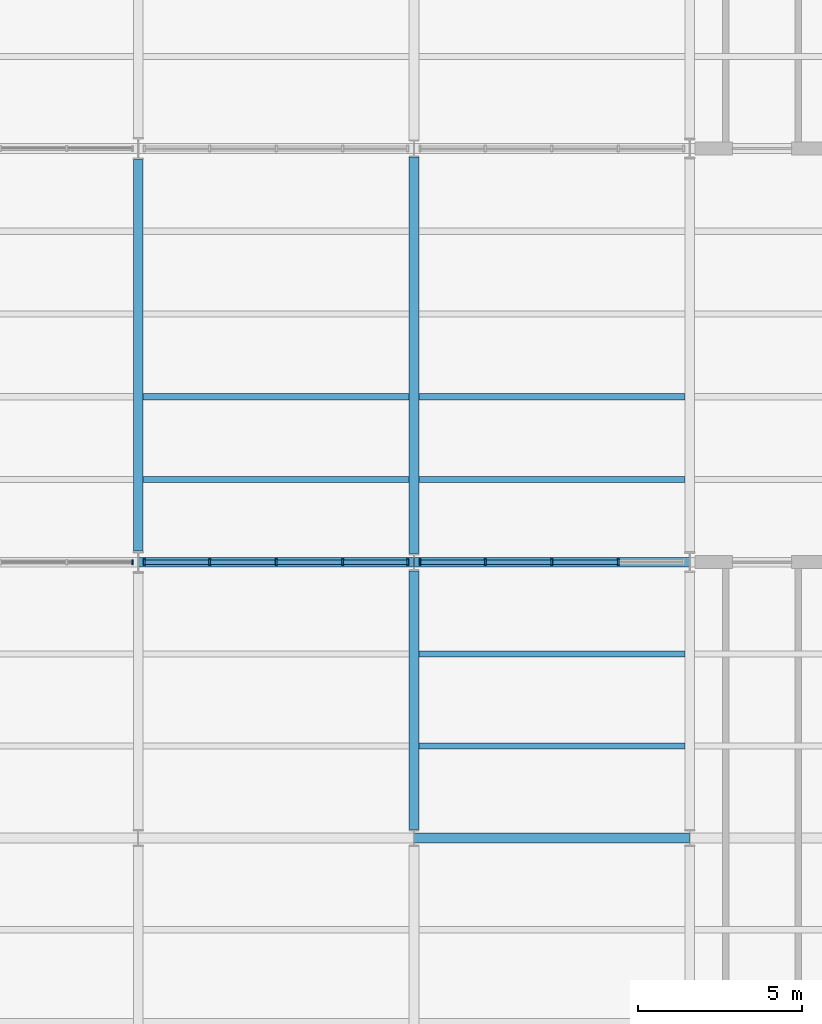
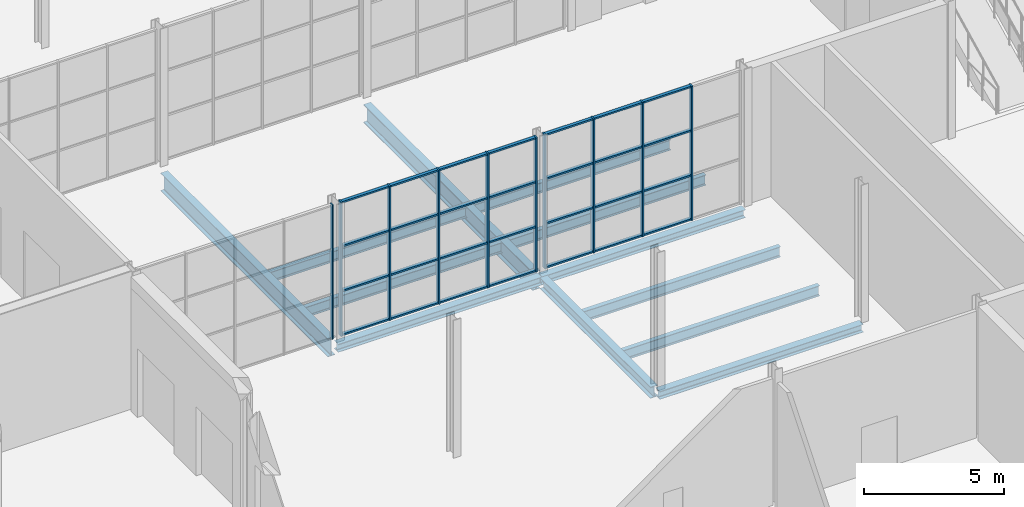
# One storey, part 11 of 55: 38 members, 12 beams, 3 elements without a shape of their own.
"""IFC4 building model written with IfcOpenShell, lengths in metres."""

from ifc_helpers import new_model, si_unit, direction, frame, origin, origin_2d, place, context, subcontext, project, spatial, rectangle, i_section, extrude, material, layer, layer_set, material_profile, profile_set, type_object, element, aggregate, save


model = new_model("IFC4")

# Units and contexts
model_context = context("Model", 3, precision=1e-05, world=origin(), true_north=direction((0.0, 1.0)))
body_context = subcontext(model_context, "Body", "Model", "MODEL_VIEW")
ifc_project = project(units=[si_unit("LENGTHUNIT", "METRE"), si_unit("AREAUNIT", "SQUARE_METRE"), si_unit("VOLUMEUNIT", "CUBIC_METRE"), si_unit("PLANEANGLEUNIT", "RADIAN"), si_unit("MASSUNIT", "GRAM", prefix="KILO")], contexts=[model_context])

# Site, building, storey
site_placement = place(None, origin())
site = spatial("IfcSite", under=ifc_project, at=site_placement, CompositionType="ELEMENT")
building_placement = place(site_placement, origin())
building = spatial("IfcBuilding", under=site, at=building_placement, Name="Galleria Vessillo Department Store", CompositionType="ELEMENT")
storey_placement = place(building_placement, origin())
storey = spatial("IfcBuildingStorey", under=building, at=storey_placement, Name="L00", CompositionType="ELEMENT", Elevation=0.0)

# Curtain wall, member
ifc_material_1 = material(Name="Aluminium and glass curtain wall", Category="aluminium")
ifc_layer_1 = layer(ifc_material_1, 0.159912109375)
ifc_layer_set_1 = layer_set([ifc_layer_1], Name="Aluminium and glass curtain wall")
curtain_wall_type_1 = type_object("IfcCurtainWallType", Name="Arcade portal glazing CW2 2100 module", PredefinedType="NOTDEFINED", material=ifc_layer_set_1)
curtain_wall_1_placement = place(storey_placement, origin())
curtain_wall_1 = element("IfcCurtainWall", 1, at=curtain_wall_1_placement, inside=storey, type_object=curtain_wall_type_1, Name="Arcade portal glazing CW2 2100 module PW-W-S-L00-01", PredefinedType="NOTDEFINED")
ifc_material_2 = material(Name="Aluminium alloy 6063 T6", Category="aluminium")
ifc_material_profile_1 = material_profile(ifc_material_2, rectangle(XDim=0.159912109375, YDim=0.050048828125, at=origin_2d()), Name="AL 50x160")
ifc_profile_set_1 = profile_set([ifc_material_profile_1], Name="Aluminium alloy 6063 T6")
member_type_1 = type_object("IfcMemberType", Name="Aluminium mullion 50 x 160", PredefinedType="MULLION", material=ifc_profile_set_1)
member_1_placement = place(storey_placement, frame((16.62255859375, 25.199951171875, 0.0), z_axis=(0.0, 0.0, 1.0), x_axis=(0.0, 1.0, 0.0)))
member_1 = element("IfcMember", 2, at=member_1_placement, type_object=member_type_1, Name="CW2 mullion 5", PredefinedType="MULLION", context=body_context, shape_type="SweptSolid", body=[
    extrude(rectangle(XDim=0.159912109375, YDim=0.050048828125, at=origin_2d()), origin(), (0.0, 0.0, 1.0), 5.85009765625),
])
aggregate(curtain_wall_1, [member_1])

# Curtain wall, members
ifc_material_3 = material(Name="Aluminium and glass curtain wall", Category="aluminium")
ifc_layer_2 = layer(ifc_material_3, 0.199951171875)
ifc_layer_set_2 = layer_set([ifc_layer_2], Name="Aluminium and glass curtain wall")
curtain_wall_type_2 = type_object("IfcCurtainWallType", Name="Arcade curtain wall CW1 2100 module", PredefinedType="NOTDEFINED", material=ifc_layer_set_2)
curtain_wall_2_placement = place(storey_placement, origin())
curtain_wall_2 = element("IfcCurtainWall", 3, at=curtain_wall_2_placement, inside=storey, type_object=curtain_wall_type_2, Name="Arcade curtain wall CW1 2100 module AI-AW-S-L00-01", PredefinedType="NOTDEFINED")
ifc_material_4 = material(Name="Aluminium alloy 6063 T6", Category="aluminium")
ifc_material_profile_2 = material_profile(ifc_material_4, rectangle(XDim=0.199951171875, YDim=0.06005859375, at=origin_2d()), Name="AL 60x200")
ifc_profile_set_2 = profile_set([ifc_material_profile_2], Name="Aluminium alloy 6063 T6")
member_type_2 = type_object("IfcMemberType", Name="Aluminium mullion 60 x 200", PredefinedType="MULLION", material=ifc_profile_set_2)
member_2_placement = place(storey_placement, frame((16.982666015625, 25.199951171875, 0.0), z_axis=(0.0, 0.0, 1.0), x_axis=(0.0, 1.0, 0.0)))
member_2 = element("IfcMember", 4, at=member_2_placement, type_object=member_type_2, Name="CW1 mullion 1", PredefinedType="MULLION", context=body_context, shape_type="SweptSolid", body=[
    extrude(rectangle(XDim=0.199951171875, YDim=0.06005859375, at=origin_2d()), origin(), (0.0, 0.0, 1.0), 5.85009765625),
])
member_3_placement = place(storey_placement, frame((18.97607421875, 25.199951171875, 0.0), z_axis=(0.0, 0.0, 1.0), x_axis=(0.0, 1.0, 0.0)))
member_3 = element("IfcMember", 5, at=member_3_placement, type_object=member_type_2, Name="CW1 mullion 2", PredefinedType="MULLION", context=body_context, shape_type="SweptSolid", body=[
    extrude(rectangle(XDim=0.199951171875, YDim=0.06005859375, at=origin_2d()), origin(), (0.0, 0.0, 1.0), 5.85009765625),
])
member_4_placement = place(storey_placement, frame((20.999755859375, 25.199951171875, 0.0), z_axis=(0.0, 0.0, 1.0), x_axis=(0.0, 1.0, 0.0)))
member_4 = element("IfcMember", 6, at=member_4_placement, type_object=member_type_2, Name="CW1 mullion 3", PredefinedType="MULLION", context=body_context, shape_type="SweptSolid", body=[
    extrude(rectangle(XDim=0.199951171875, YDim=0.06005859375, at=origin_2d()), origin(), (0.0, 0.0, 1.0), 5.85009765625),
])
member_5_placement = place(storey_placement, frame((23.0234375, 25.199951171875, 0.0), z_axis=(0.0, 0.0, 1.0), x_axis=(0.0, 1.0, 0.0)))
member_5 = element("IfcMember", 7, at=member_5_placement, type_object=member_type_2, Name="CW1 mullion 4", PredefinedType="MULLION", context=body_context, shape_type="SweptSolid", body=[
    extrude(rectangle(XDim=0.199951171875, YDim=0.06005859375, at=origin_2d()), origin(), (0.0, 0.0, 1.0), 5.85009765625),
])
member_6_placement = place(storey_placement, frame((25.016845703125, 25.199951171875, 0.0), z_axis=(0.0, 0.0, 1.0), x_axis=(0.0, 1.0, 0.0)))
member_6 = element("IfcMember", 8, at=member_6_placement, type_object=member_type_2, Name="CW1 mullion 5", PredefinedType="MULLION", context=body_context, shape_type="SweptSolid", body=[
    extrude(rectangle(XDim=0.199951171875, YDim=0.06005859375, at=origin_2d()), origin(), (0.0, 0.0, 1.0), 5.85009765625),
])

curtain_wall_3_placement = place(storey_placement, origin())
curtain_wall_3 = element("IfcCurtainWall", 9, at=curtain_wall_3_placement, inside=storey, type_object=curtain_wall_type_2, Name="Arcade curtain wall CW1 2100 module AI-AW-S-L00-02", PredefinedType="NOTDEFINED")
member_7_placement = place(storey_placement, frame((25.383056640625, 25.199951171875, 0.0), z_axis=(0.0, 0.0, 1.0), x_axis=(0.0, 1.0, 0.0)))
member_7 = element("IfcMember", 10, at=member_7_placement, type_object=member_type_2, Name="CW1 mullion 1", PredefinedType="MULLION", context=body_context, shape_type="SweptSolid", body=[
    extrude(rectangle(XDim=0.199951171875, YDim=0.06005859375, at=origin_2d()), origin(), (0.0, 0.0, 1.0), 5.85009765625),
])
member_8_placement = place(storey_placement, frame((27.376708984375, 25.199951171875, 0.0), z_axis=(0.0, 0.0, 1.0), x_axis=(0.0, 1.0, 0.0)))
member_8 = element("IfcMember", 11, at=member_8_placement, type_object=member_type_2, Name="CW1 mullion 2", PredefinedType="MULLION", context=body_context, shape_type="SweptSolid", body=[
    extrude(rectangle(XDim=0.199951171875, YDim=0.06005859375, at=origin_2d()), origin(), (0.0, 0.0, 1.0), 5.85009765625),
])
member_9_placement = place(storey_placement, frame((29.400390625, 25.199951171875, 0.0), z_axis=(0.0, 0.0, 1.0), x_axis=(0.0, 1.0, 0.0)))
member_9 = element("IfcMember", 12, at=member_9_placement, type_object=member_type_2, Name="CW1 mullion 3", PredefinedType="MULLION", context=body_context, shape_type="SweptSolid", body=[
    extrude(rectangle(XDim=0.199951171875, YDim=0.06005859375, at=origin_2d()), origin(), (0.0, 0.0, 1.0), 5.85009765625),
])
member_10_placement = place(storey_placement, frame((31.423828125, 25.199951171875, 0.0), z_axis=(0.0, 0.0, 1.0), x_axis=(0.0, 1.0, 0.0)))
member_10 = element("IfcMember", 13, at=member_10_placement, type_object=member_type_2, Name="CW1 mullion 4", PredefinedType="MULLION", context=body_context, shape_type="SweptSolid", body=[
    extrude(rectangle(XDim=0.199951171875, YDim=0.06005859375, at=origin_2d()), origin(), (0.0, 0.0, 1.0), 5.85009765625),
])

# Member
ifc_material_5 = material(Name="Aluminium alloy 6063 T6", Category="aluminium")
ifc_material_profile_3 = material_profile(ifc_material_5, rectangle(XDim=0.139892578125, YDim=0.070068359375, at=origin_2d()), Name="AL 70x140")
ifc_profile_set_3 = profile_set([ifc_material_profile_3], Name="Aluminium alloy 6063 T6")
member_type_3 = type_object("IfcMemberType", Name="Aluminium transom 70 x 140", PredefinedType="USERDEFINED", material=ifc_profile_set_3)
member_11_placement = place(storey_placement, frame((17.0126953125, 25.199951171875, 0.034912109375), z_axis=(1.0, 0.0, 0.0), x_axis=(0.0, 1.0, 0.0)))
member_11 = element("IfcMember", 14, at=member_11_placement, type_object=member_type_3, Name="CW1 transom 1.1", ObjectType="TRANSOM", PredefinedType="USERDEFINED", context=body_context, shape_type="SweptSolid", body=[
    extrude(rectangle(XDim=0.139892578125, YDim=0.070068359375, at=origin_2d()), origin(), (0.0, 0.0, 1.0), 1.93359375),
])

member_12_placement = place(storey_placement, frame((17.0126953125, 25.199951171875, 1.949951171875), z_axis=(1.0, 0.0, 0.0), x_axis=(0.0, 1.0, 0.0)))
member_12 = element("IfcMember", 15, at=member_12_placement, type_object=member_type_3, Name="CW1 transom 1.2", ObjectType="TRANSOM", PredefinedType="USERDEFINED", context=body_context, shape_type="SweptSolid", body=[
    extrude(rectangle(XDim=0.139892578125, YDim=0.070068359375, at=origin_2d()), origin(), (0.0, 0.0, 1.0), 1.93359375),
])

member_13_placement = place(storey_placement, frame((17.0126953125, 25.199951171875, 3.900146484375), z_axis=(1.0, 0.0, 0.0), x_axis=(0.0, 1.0, 0.0)))
member_13 = element("IfcMember", 16, at=member_13_placement, type_object=member_type_3, Name="CW1 transom 1.3", ObjectType="TRANSOM", PredefinedType="USERDEFINED", context=body_context, shape_type="SweptSolid", body=[
    extrude(rectangle(XDim=0.139892578125, YDim=0.070068359375, at=origin_2d()), origin(), (0.0, 0.0, 1.0), 1.93359375),
])

member_14_placement = place(storey_placement, frame((17.0126953125, 25.199951171875, 5.815185546875), z_axis=(1.0, 0.0, 0.0), x_axis=(0.0, 1.0, 0.0)))
member_14 = element("IfcMember", 17, at=member_14_placement, type_object=member_type_3, Name="CW1 transom 1.4", ObjectType="TRANSOM", PredefinedType="USERDEFINED", context=body_context, shape_type="SweptSolid", body=[
    extrude(rectangle(XDim=0.139892578125, YDim=0.070068359375, at=origin_2d()), origin(), (0.0, 0.0, 1.0), 1.93359375),
])

member_15_placement = place(storey_placement, frame((19.006103515625, 25.199951171875, 0.034912109375), z_axis=(1.0, 0.0, 0.0), x_axis=(0.0, 1.0, 0.0)))
member_15 = element("IfcMember", 18, at=member_15_placement, type_object=member_type_3, Name="CW1 transom 2.1", ObjectType="TRANSOM", PredefinedType="USERDEFINED", context=body_context, shape_type="SweptSolid", body=[
    extrude(rectangle(XDim=0.139892578125, YDim=0.070068359375, at=origin_2d()), origin(), (0.0, 0.0, 1.0), 1.963623046875),
])

member_16_placement = place(storey_placement, frame((19.006103515625, 25.199951171875, 1.949951171875), z_axis=(1.0, 0.0, 0.0), x_axis=(0.0, 1.0, 0.0)))
member_16 = element("IfcMember", 19, at=member_16_placement, type_object=member_type_3, Name="CW1 transom 2.2", ObjectType="TRANSOM", PredefinedType="USERDEFINED", context=body_context, shape_type="SweptSolid", body=[
    extrude(rectangle(XDim=0.139892578125, YDim=0.070068359375, at=origin_2d()), origin(), (0.0, 0.0, 1.0), 1.963623046875),
])

member_17_placement = place(storey_placement, frame((19.006103515625, 25.199951171875, 3.900146484375), z_axis=(1.0, 0.0, 0.0), x_axis=(0.0, 1.0, 0.0)))
member_17 = element("IfcMember", 20, at=member_17_placement, type_object=member_type_3, Name="CW1 transom 2.3", ObjectType="TRANSOM", PredefinedType="USERDEFINED", context=body_context, shape_type="SweptSolid", body=[
    extrude(rectangle(XDim=0.139892578125, YDim=0.070068359375, at=origin_2d()), origin(), (0.0, 0.0, 1.0), 1.963623046875),
])

member_18_placement = place(storey_placement, frame((19.006103515625, 25.199951171875, 5.815185546875), z_axis=(1.0, 0.0, 0.0), x_axis=(0.0, 1.0, 0.0)))
member_18 = element("IfcMember", 21, at=member_18_placement, type_object=member_type_3, Name="CW1 transom 2.4", ObjectType="TRANSOM", PredefinedType="USERDEFINED", context=body_context, shape_type="SweptSolid", body=[
    extrude(rectangle(XDim=0.139892578125, YDim=0.070068359375, at=origin_2d()), origin(), (0.0, 0.0, 1.0), 1.963623046875),
])

member_19_placement = place(storey_placement, frame((21.02978515625, 25.199951171875, 0.034912109375), z_axis=(1.0, 0.0, 0.0), x_axis=(0.0, 1.0, 0.0)))
member_19 = element("IfcMember", 22, at=member_19_placement, type_object=member_type_3, Name="CW1 transom 3.1", ObjectType="TRANSOM", PredefinedType="USERDEFINED", context=body_context, shape_type="SweptSolid", body=[
    extrude(rectangle(XDim=0.139892578125, YDim=0.070068359375, at=origin_2d()), origin(), (0.0, 0.0, 1.0), 1.963623046875),
])

member_20_placement = place(storey_placement, frame((21.02978515625, 25.199951171875, 1.949951171875), z_axis=(1.0, 0.0, 0.0), x_axis=(0.0, 1.0, 0.0)))
member_20 = element("IfcMember", 23, at=member_20_placement, type_object=member_type_3, Name="CW1 transom 3.2", ObjectType="TRANSOM", PredefinedType="USERDEFINED", context=body_context, shape_type="SweptSolid", body=[
    extrude(rectangle(XDim=0.139892578125, YDim=0.070068359375, at=origin_2d()), origin(), (0.0, 0.0, 1.0), 1.963623046875),
])

member_21_placement = place(storey_placement, frame((21.02978515625, 25.199951171875, 3.900146484375), z_axis=(1.0, 0.0, 0.0), x_axis=(0.0, 1.0, 0.0)))
member_21 = element("IfcMember", 24, at=member_21_placement, type_object=member_type_3, Name="CW1 transom 3.3", ObjectType="TRANSOM", PredefinedType="USERDEFINED", context=body_context, shape_type="SweptSolid", body=[
    extrude(rectangle(XDim=0.139892578125, YDim=0.070068359375, at=origin_2d()), origin(), (0.0, 0.0, 1.0), 1.963623046875),
])

member_22_placement = place(storey_placement, frame((21.02978515625, 25.199951171875, 5.815185546875), z_axis=(1.0, 0.0, 0.0), x_axis=(0.0, 1.0, 0.0)))
member_22 = element("IfcMember", 25, at=member_22_placement, type_object=member_type_3, Name="CW1 transom 3.4", ObjectType="TRANSOM", PredefinedType="USERDEFINED", context=body_context, shape_type="SweptSolid", body=[
    extrude(rectangle(XDim=0.139892578125, YDim=0.070068359375, at=origin_2d()), origin(), (0.0, 0.0, 1.0), 1.963623046875),
])

member_23_placement = place(storey_placement, frame((23.05322265625, 25.199951171875, 0.034912109375), z_axis=(1.0, 0.0, 0.0), x_axis=(0.0, 1.0, 0.0)))
member_23 = element("IfcMember", 26, at=member_23_placement, type_object=member_type_3, Name="CW1 transom 4.1", ObjectType="TRANSOM", PredefinedType="USERDEFINED", context=body_context, shape_type="SweptSolid", body=[
    extrude(rectangle(XDim=0.139892578125, YDim=0.070068359375, at=origin_2d()), origin(), (0.0, 0.0, 1.0), 1.93359375),
])

member_24_placement = place(storey_placement, frame((23.05322265625, 25.199951171875, 1.949951171875), z_axis=(1.0, 0.0, 0.0), x_axis=(0.0, 1.0, 0.0)))
member_24 = element("IfcMember", 27, at=member_24_placement, type_object=member_type_3, Name="CW1 transom 4.2", ObjectType="TRANSOM", PredefinedType="USERDEFINED", context=body_context, shape_type="SweptSolid", body=[
    extrude(rectangle(XDim=0.139892578125, YDim=0.070068359375, at=origin_2d()), origin(), (0.0, 0.0, 1.0), 1.93359375),
])

member_25_placement = place(storey_placement, frame((23.05322265625, 25.199951171875, 3.900146484375), z_axis=(1.0, 0.0, 0.0), x_axis=(0.0, 1.0, 0.0)))
member_25 = element("IfcMember", 28, at=member_25_placement, type_object=member_type_3, Name="CW1 transom 4.3", ObjectType="TRANSOM", PredefinedType="USERDEFINED", context=body_context, shape_type="SweptSolid", body=[
    extrude(rectangle(XDim=0.139892578125, YDim=0.070068359375, at=origin_2d()), origin(), (0.0, 0.0, 1.0), 1.93359375),
])

member_26_placement = place(storey_placement, frame((23.05322265625, 25.199951171875, 5.815185546875), z_axis=(1.0, 0.0, 0.0), x_axis=(0.0, 1.0, 0.0)))
member_26 = element("IfcMember", 29, at=member_26_placement, type_object=member_type_3, Name="CW1 transom 4.4", ObjectType="TRANSOM", PredefinedType="USERDEFINED", context=body_context, shape_type="SweptSolid", body=[
    extrude(rectangle(XDim=0.139892578125, YDim=0.070068359375, at=origin_2d()), origin(), (0.0, 0.0, 1.0), 1.93359375),
])

aggregate(curtain_wall_2, [member_2, member_3, member_4, member_5, member_6, member_11, member_12, member_13, member_14, member_15, member_16, member_17, member_18, member_19, member_20, member_21, member_22, member_23, member_24, member_25, member_26])

member_27_placement = place(storey_placement, frame((25.4130859375, 25.199951171875, 0.034912109375), z_axis=(1.0, 0.0, 0.0), x_axis=(0.0, 1.0, 0.0)))
member_27 = element("IfcMember", 30, at=member_27_placement, type_object=member_type_3, Name="CW1 transom 1.1", ObjectType="TRANSOM", PredefinedType="USERDEFINED", context=body_context, shape_type="SweptSolid", body=[
    extrude(rectangle(XDim=0.139892578125, YDim=0.070068359375, at=origin_2d()), origin(), (0.0, 0.0, 1.0), 1.93359375),
])

member_28_placement = place(storey_placement, frame((25.4130859375, 25.199951171875, 1.949951171875), z_axis=(1.0, 0.0, 0.0), x_axis=(0.0, 1.0, 0.0)))
member_28 = element("IfcMember", 31, at=member_28_placement, type_object=member_type_3, Name="CW1 transom 1.2", ObjectType="TRANSOM", PredefinedType="USERDEFINED", context=body_context, shape_type="SweptSolid", body=[
    extrude(rectangle(XDim=0.139892578125, YDim=0.070068359375, at=origin_2d()), origin(), (0.0, 0.0, 1.0), 1.93359375),
])

member_29_placement = place(storey_placement, frame((25.4130859375, 25.199951171875, 3.900146484375), z_axis=(1.0, 0.0, 0.0), x_axis=(0.0, 1.0, 0.0)))
member_29 = element("IfcMember", 32, at=member_29_placement, type_object=member_type_3, Name="CW1 transom 1.3", ObjectType="TRANSOM", PredefinedType="USERDEFINED", context=body_context, shape_type="SweptSolid", body=[
    extrude(rectangle(XDim=0.139892578125, YDim=0.070068359375, at=origin_2d()), origin(), (0.0, 0.0, 1.0), 1.93359375),
])

member_30_placement = place(storey_placement, frame((25.4130859375, 25.199951171875, 5.815185546875), z_axis=(1.0, 0.0, 0.0), x_axis=(0.0, 1.0, 0.0)))
member_30 = element("IfcMember", 33, at=member_30_placement, type_object=member_type_3, Name="CW1 transom 1.4", ObjectType="TRANSOM", PredefinedType="USERDEFINED", context=body_context, shape_type="SweptSolid", body=[
    extrude(rectangle(XDim=0.139892578125, YDim=0.070068359375, at=origin_2d()), origin(), (0.0, 0.0, 1.0), 1.93359375),
])

member_31_placement = place(storey_placement, frame((27.40673828125, 25.199951171875, 0.034912109375), z_axis=(1.0, 0.0, 0.0), x_axis=(0.0, 1.0, 0.0)))
member_31 = element("IfcMember", 34, at=member_31_placement, type_object=member_type_3, Name="CW1 transom 2.1", ObjectType="TRANSOM", PredefinedType="USERDEFINED", context=body_context, shape_type="SweptSolid", body=[
    extrude(rectangle(XDim=0.139892578125, YDim=0.070068359375, at=origin_2d()), origin(), (0.0, 0.0, 1.0), 1.963623046875),
])

member_32_placement = place(storey_placement, frame((27.40673828125, 25.199951171875, 1.949951171875), z_axis=(1.0, 0.0, 0.0), x_axis=(0.0, 1.0, 0.0)))
member_32 = element("IfcMember", 35, at=member_32_placement, type_object=member_type_3, Name="CW1 transom 2.2", ObjectType="TRANSOM", PredefinedType="USERDEFINED", context=body_context, shape_type="SweptSolid", body=[
    extrude(rectangle(XDim=0.139892578125, YDim=0.070068359375, at=origin_2d()), origin(), (0.0, 0.0, 1.0), 1.963623046875),
])

member_33_placement = place(storey_placement, frame((27.40673828125, 25.199951171875, 3.900146484375), z_axis=(1.0, 0.0, 0.0), x_axis=(0.0, 1.0, 0.0)))
member_33 = element("IfcMember", 36, at=member_33_placement, type_object=member_type_3, Name="CW1 transom 2.3", ObjectType="TRANSOM", PredefinedType="USERDEFINED", context=body_context, shape_type="SweptSolid", body=[
    extrude(rectangle(XDim=0.139892578125, YDim=0.070068359375, at=origin_2d()), origin(), (0.0, 0.0, 1.0), 1.963623046875),
])

member_34_placement = place(storey_placement, frame((27.40673828125, 25.199951171875, 5.815185546875), z_axis=(1.0, 0.0, 0.0), x_axis=(0.0, 1.0, 0.0)))
member_34 = element("IfcMember", 37, at=member_34_placement, type_object=member_type_3, Name="CW1 transom 2.4", ObjectType="TRANSOM", PredefinedType="USERDEFINED", context=body_context, shape_type="SweptSolid", body=[
    extrude(rectangle(XDim=0.139892578125, YDim=0.070068359375, at=origin_2d()), origin(), (0.0, 0.0, 1.0), 1.963623046875),
])

member_35_placement = place(storey_placement, frame((29.43017578125, 25.199951171875, 0.034912109375), z_axis=(1.0, 0.0, 0.0), x_axis=(0.0, 1.0, 0.0)))
member_35 = element("IfcMember", 38, at=member_35_placement, type_object=member_type_3, Name="CW1 transom 3.1", ObjectType="TRANSOM", PredefinedType="USERDEFINED", context=body_context, shape_type="SweptSolid", body=[
    extrude(rectangle(XDim=0.139892578125, YDim=0.070068359375, at=origin_2d()), origin(), (0.0, 0.0, 1.0), 1.963623046875),
])

member_36_placement = place(storey_placement, frame((29.43017578125, 25.199951171875, 1.949951171875), z_axis=(1.0, 0.0, 0.0), x_axis=(0.0, 1.0, 0.0)))
member_36 = element("IfcMember", 39, at=member_36_placement, type_object=member_type_3, Name="CW1 transom 3.2", ObjectType="TRANSOM", PredefinedType="USERDEFINED", context=body_context, shape_type="SweptSolid", body=[
    extrude(rectangle(XDim=0.139892578125, YDim=0.070068359375, at=origin_2d()), origin(), (0.0, 0.0, 1.0), 1.963623046875),
])

member_37_placement = place(storey_placement, frame((29.43017578125, 25.199951171875, 3.900146484375), z_axis=(1.0, 0.0, 0.0), x_axis=(0.0, 1.0, 0.0)))
member_37 = element("IfcMember", 40, at=member_37_placement, type_object=member_type_3, Name="CW1 transom 3.3", ObjectType="TRANSOM", PredefinedType="USERDEFINED", context=body_context, shape_type="SweptSolid", body=[
    extrude(rectangle(XDim=0.139892578125, YDim=0.070068359375, at=origin_2d()), origin(), (0.0, 0.0, 1.0), 1.963623046875),
])

member_38_placement = place(storey_placement, frame((29.43017578125, 25.199951171875, 5.815185546875), z_axis=(1.0, 0.0, 0.0), x_axis=(0.0, 1.0, 0.0)))
member_38 = element("IfcMember", 41, at=member_38_placement, type_object=member_type_3, Name="CW1 transom 3.4", ObjectType="TRANSOM", PredefinedType="USERDEFINED", context=body_context, shape_type="SweptSolid", body=[
    extrude(rectangle(XDim=0.139892578125, YDim=0.070068359375, at=origin_2d()), origin(), (0.0, 0.0, 1.0), 1.963623046875),
])

aggregate(curtain_wall_3, [member_7, member_8, member_9, member_10, member_27, member_28, member_29, member_30, member_31, member_32, member_33, member_34, member_35, member_36, member_37, member_38])

# Beams
ifc_material_6 = material(Name="Steel S355 J2", Category="steel")
ifc_material_profile_4 = material_profile(ifc_material_6, i_section(OverallWidth=0.300048828125, OverallDepth=0.489990234375, WebThickness=0.011962890625, FlangeThickness=0.02294921875, FilletRadius=0.027099609375, at=origin_2d()), Name="HEA 500")
ifc_profile_set_4 = profile_set([ifc_material_profile_4], Name="Steel S355 J2")
beam_type_1 = type_object("IfcBeamType", Name="Floor girder HEA 500", PredefinedType="BEAM", material=ifc_profile_set_4)
beam_1_placement = place(storey_placement, frame((25.199951171875, 17.050048828125, -0.39501953125), z_axis=(0.0, 1.0, 0.0), x_axis=(-1.0, 0.0, 0.0)))
element("IfcBeam", 42, at=beam_1_placement, inside=storey, type_object=beam_type_1, Name="S-BM-L00-GI-y25200-17050", PredefinedType="BEAM", context=body_context, shape_type="SweptSolid", body=[
    extrude(i_section(OverallWidth=0.300048828125, OverallDepth=0.489990234375, WebThickness=0.011962890625, FlangeThickness=0.02294921875, FilletRadius=0.027099609375, at=origin_2d()), origin(), (0.0, 0.0, 1.0), 7.887939453125),
])
ifc_material_7 = material(Name="Steel S355 J2", Category="steel")
ifc_material_profile_5 = material_profile(ifc_material_7, i_section(OverallWidth=0.300048828125, OverallDepth=0.7900390625, WebThickness=0.014892578125, FlangeThickness=0.028076171875, FilletRadius=0.030029296875, at=origin_2d()), Name="HEA 800")
ifc_profile_set_5 = profile_set([ifc_material_profile_5], Name="Steel S355 J2")
beam_type_2 = type_object("IfcBeamType", Name="Floor girder HEA 800", PredefinedType="BEAM", material=ifc_profile_set_5)
beam_2_placement = place(storey_placement, frame((16.800048828125, 25.5341796875, -0.64501953125), z_axis=(0.0, 1.0, 0.0), x_axis=(-1.0, 0.0, 0.0)))
element("IfcBeam", 43, at=beam_2_placement, inside=storey, type_object=beam_type_2, Name="S-BM-L00-GI-y16800-25534", PredefinedType="BEAM", context=body_context, shape_type="SweptSolid", body=[
    extrude(i_section(OverallWidth=0.300048828125, OverallDepth=0.7900390625, WebThickness=0.014892578125, FlangeThickness=0.028076171875, FilletRadius=0.030029296875, at=origin_2d()), origin(), (0.0, 0.0, 1.0), 11.931640625),
])
beam_3_placement = place(storey_placement, frame((25.199951171875, 25.462158203125, -0.64501953125), z_axis=(0.0, 1.0, 0.0), x_axis=(-1.0, 0.0, 0.0)))
element("IfcBeam", 44, at=beam_3_placement, inside=storey, type_object=beam_type_2, Name="S-BM-L00-GI-y25200-25462", PredefinedType="BEAM", context=body_context, shape_type="SweptSolid", body=[
    extrude(i_section(OverallWidth=0.300048828125, OverallDepth=0.7900390625, WebThickness=0.014892578125, FlangeThickness=0.028076171875, FilletRadius=0.030029296875, at=origin_2d()), origin(), (0.0, 0.0, 1.0), 12.07568359375),
])
ifc_material_8 = material(Name="Steel S355 J2", Category="steel")
ifc_material_profile_6 = material_profile(ifc_material_8, i_section(OverallWidth=0.18994140625, OverallDepth=0.449951171875, WebThickness=0.009521484375, FlangeThickness=0.0146484375, FilletRadius=0.02099609375, at=origin_2d()), Name="IPE 450")
ifc_profile_set_6 = profile_set([ifc_material_profile_6], Name="Steel S355 J2")
beam_type_3 = type_object("IfcBeamType", Name="Floor joist IPE 450", PredefinedType="JOIST", material=ifc_profile_set_6)
for number, where, z_axis, x_axis, name in (
    (45, (16.9501953125, 27.719970703125, -0.47509765625), (1.0, 0.0, 0.0), (0.0, 1.0, 0.0), "S-BM-L00-JO-x27720-16950"),
    (46, (16.9501953125, 30.239990234375, -0.47509765625), (1.0, 0.0, 0.0), (0.0, 1.0, 0.0), "S-BM-L00-JO-x30240-16950"),
):
    element("IfcBeam", number, at=place(storey_placement, frame(where, z_axis=z_axis, x_axis=x_axis)), inside=storey, type_object=beam_type_3, Name=name, PredefinedType="JOIST", context=body_context, shape_type="SweptSolid", body=[
        extrude(i_section(OverallWidth=0.18994140625, OverallDepth=0.449951171875, WebThickness=0.009521484375, FlangeThickness=0.0146484375, FilletRadius=0.02099609375, at=origin_2d()), origin(), (0.0, 0.0, 1.0), 8.099609375),
    ])
for number, where, z_axis, x_axis, name in (
    (47, (25.35009765625, 19.60009765625, -0.375), (1.0, 0.0, 0.0), (0.0, 1.0, 0.0), "S-BM-L00-JO-x19600-25350"),
    (48, (25.35009765625, 22.39990234375, -0.375), (1.0, 0.0, 0.0), (0.0, 1.0, 0.0), "S-BM-L00-JO-x22400-25350"),
    (49, (25.35009765625, 27.719970703125, -0.47509765625), (1.0, 0.0, 0.0), (0.0, 1.0, 0.0), "S-BM-L00-JO-x27720-25350"),
    (50, (25.35009765625, 30.239990234375, -0.47509765625), (1.0, 0.0, 0.0), (0.0, 1.0, 0.0), "S-BM-L00-JO-x30240-25350"),
):
    element("IfcBeam", number, at=place(storey_placement, frame(where, z_axis=z_axis, x_axis=x_axis)), inside=storey, type_object=beam_type_3, Name=name, PredefinedType="JOIST", context=body_context, shape_type="SweptSolid", body=[
        extrude(i_section(OverallWidth=0.18994140625, OverallDepth=0.449951171875, WebThickness=0.009521484375, FlangeThickness=0.0146484375, FilletRadius=0.02099609375, at=origin_2d()), origin(), (0.0, 0.0, 1.0), 8.099853515625),
    ])
ifc_material_9 = material(Name="Steel S355 J2", Category="steel")
ifc_material_profile_7 = material_profile(ifc_material_9, i_section(OverallWidth=0.300048828125, OverallDepth=0.35009765625, WebThickness=0.010009765625, FlangeThickness=0.017578125, FilletRadius=0.027099609375, at=origin_2d()), Name="HEA 360")
ifc_profile_set_7 = profile_set([ifc_material_profile_7], Name="Steel S355 J2")
beam_type_4 = type_object("IfcBeamType", Name="Floor tie girder HEA 360", PredefinedType="BEAM", material=ifc_profile_set_7)
beam_4_placement = place(storey_placement, frame((25.207275390625, 16.800048828125, -0.324951171875), z_axis=(1.0, 0.0, 0.0), x_axis=(0.0, 1.0, 0.0)))
element("IfcBeam", 51, at=beam_4_placement, inside=storey, type_object=beam_type_4, Name="S-BM-L00-TI-x16800-25207", PredefinedType="BEAM", context=body_context, shape_type="SweptSolid", body=[
    extrude(i_section(OverallWidth=0.300048828125, OverallDepth=0.35009765625, WebThickness=0.010009765625, FlangeThickness=0.017578125, FilletRadius=0.027099609375, at=origin_2d()), origin(), (0.0, 0.0, 1.0), 8.38525390625),
])
beam_5_placement = place(storey_placement, frame((16.810546875, 25.199951171875, -0.425048828125), z_axis=(1.0, 0.0, 0.0), x_axis=(0.0, 1.0, 0.0)))
element("IfcBeam", 52, at=beam_5_placement, inside=storey, type_object=beam_type_4, Name="S-BM-L00-TI-x25200-16811", PredefinedType="BEAM", context=body_context, shape_type="SweptSolid", body=[
    extrude(i_section(OverallWidth=0.300048828125, OverallDepth=0.35009765625, WebThickness=0.010009765625, FlangeThickness=0.017578125, FilletRadius=0.027099609375, at=origin_2d()), origin(), (0.0, 0.0, 1.0), 8.37890625),
])
beam_6_placement = place(storey_placement, frame((25.210693359375, 25.199951171875, -0.425048828125), z_axis=(1.0, 0.0, 0.0), x_axis=(0.0, 1.0, 0.0)))
element("IfcBeam", 53, at=beam_6_placement, inside=storey, type_object=beam_type_4, Name="S-BM-L00-TI-x25200-25211", PredefinedType="BEAM", context=body_context, shape_type="SweptSolid", body=[
    extrude(i_section(OverallWidth=0.300048828125, OverallDepth=0.35009765625, WebThickness=0.010009765625, FlangeThickness=0.017578125, FilletRadius=0.027099609375, at=origin_2d()), origin(), (0.0, 0.0, 1.0), 8.378662109375),
])

save(model, "model.ifc")
